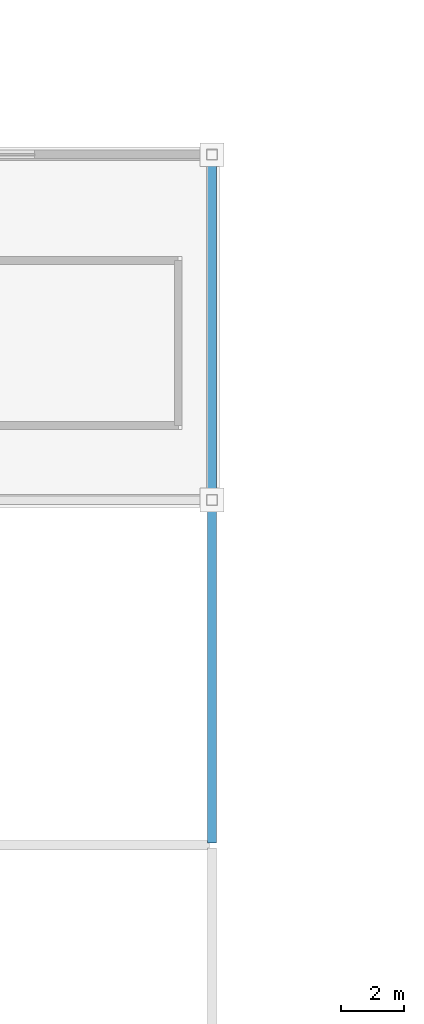
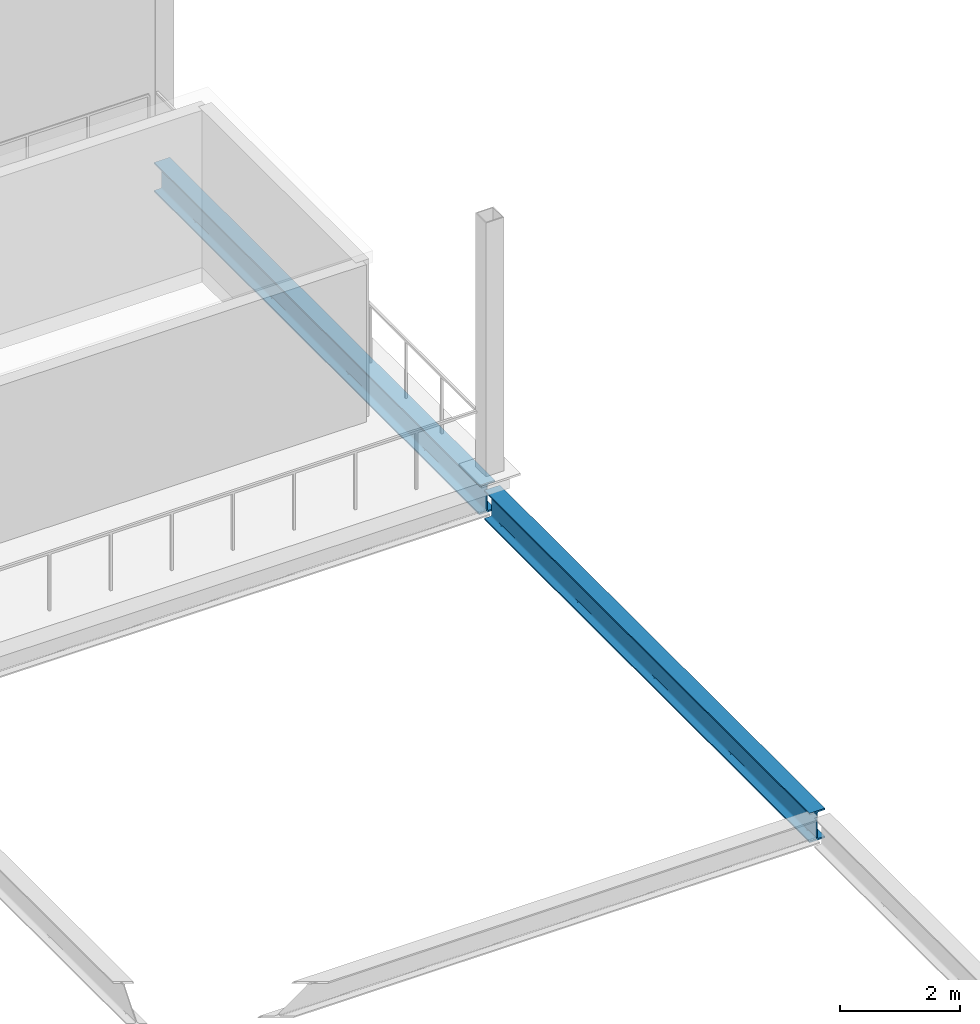
# One storey, part 88 of 178: 2 beams.
"""IFC4 building model written with IfcOpenShell, lengths in metres."""

from ifc_helpers import new_model, si_unit, direction, frame, origin, origin_2d, place, context, subcontext, project, spatial, i_section, extrude, material, material_profile, profile_set, type_object, element, save


model = new_model("IFC4")

# Units and contexts
model_context = context("Model", 3, precision=1e-05, world=origin(), true_north=direction((0.0, 1.0)))
body_context = subcontext(model_context, "Body", "Model", "MODEL_VIEW")
ifc_project = project(units=[si_unit("LENGTHUNIT", "METRE"), si_unit("AREAUNIT", "SQUARE_METRE"), si_unit("VOLUMEUNIT", "CUBIC_METRE"), si_unit("PLANEANGLEUNIT", "RADIAN"), si_unit("MASSUNIT", "GRAM", prefix="KILO")], contexts=[model_context])

# Site, building, storey
site_placement = place(None, origin())
site = spatial("IfcSite", under=ifc_project, at=site_placement, CompositionType="ELEMENT")
building_placement = place(site_placement, origin())
building = spatial("IfcBuilding", under=site, at=building_placement, Name="Zlatoyarsky Gate Stadium", CompositionType="ELEMENT")
storey_placement = place(building_placement, frame((0.0, 0.0, 5.39990234375)))
storey = spatial("IfcBuildingStorey", under=building, at=storey_placement, Name="L01", CompositionType="ELEMENT", Elevation=5.39990234375)

# Beams
ifc_material = material(Name="Steel S355", Category="steel")
ifc_material_profile = material_profile(ifc_material, i_section(OverallWidth=0.300048828125, OverallDepth=0.60009765625, WebThickness=0.015380859375, FlangeThickness=0.030029296875, FilletRadius=0.027099609375, at=origin_2d()), Name="HEB 600")
ifc_profile_set = profile_set([ifc_material_profile], Name="Steel S355")
beam_type = type_object("IfcBeamType", Name="STEEL PRIMARY GIRDER HEB 600", PredefinedType="BEAM", material=ifc_profile_set)
for number, where, z_axis, x_axis, name in (
    (1, (197.5, 127.080078125, -0.599853515625), (0.0, 1.0, 0.0), (-1.0, 0.0, 0.0), "Beam G-HEB600 BM-L01-WGY-17-M"),
    (2, (197.5, 138.080078125, -0.599853515625), (0.0, 1.0, 0.0), (-1.0, 0.0, 0.0), "Beam G-HEB600 BM-L01-WGY-17-N"),
):
    element("IfcBeam", number, at=place(storey_placement, frame(where, z_axis=z_axis, x_axis=x_axis)), inside=storey, type_object=beam_type, Name=name, PredefinedType="BEAM", context=body_context, shape_type="SweptSolid", body=[
        extrude(i_section(OverallWidth=0.300048828125, OverallDepth=0.60009765625, WebThickness=0.015380859375, FlangeThickness=0.030029296875, FilletRadius=0.027099609375, at=origin_2d()), origin(), (0.0, 0.0, 1.0), 10.83984375),
    ])

save(model, "model.ifc")
